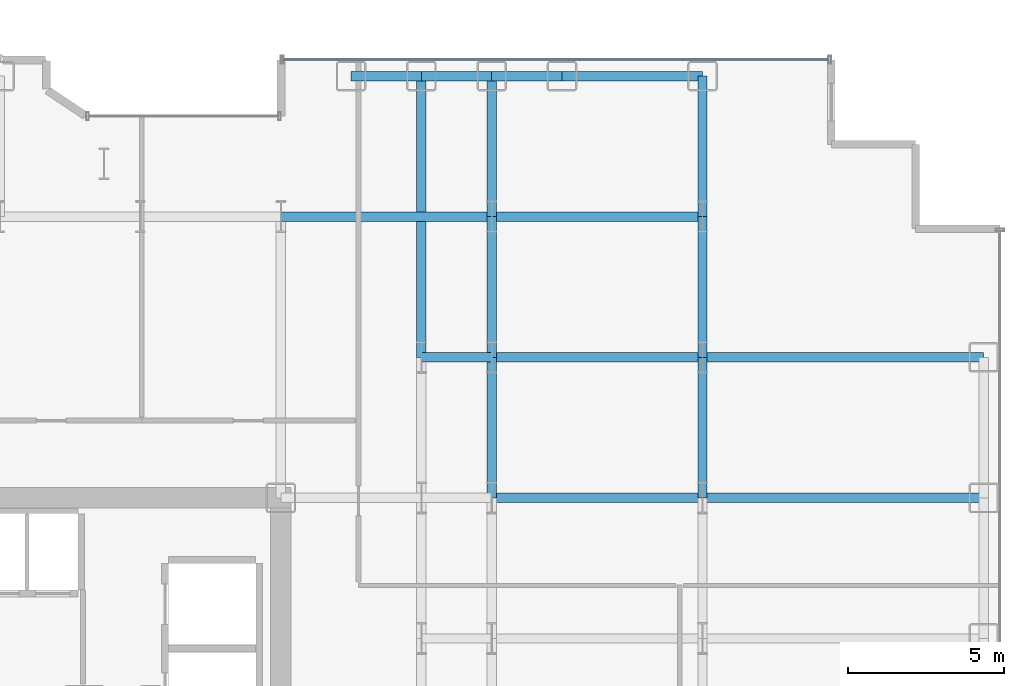
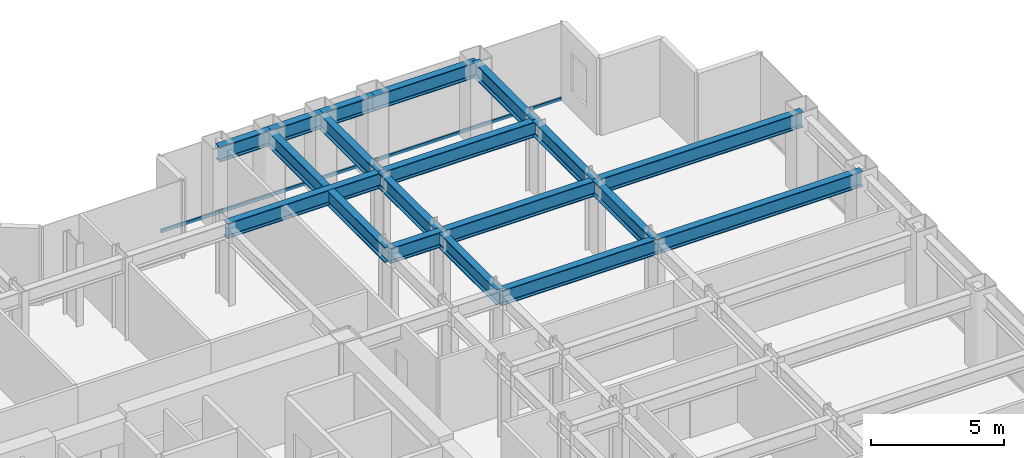
# One storey, part 13 of 27: 18 beams, 1 member, 1 element without a shape of its own.
"""IFC4 building model written with IfcOpenShell, lengths in metres."""

from ifc_helpers import new_model, si_unit, direction, frame, origin, origin_2d, place, context, subcontext, project, spatial, hollow_rectangle, i_section, extrude, source, transform, mapped, material, layer, layer_set, material_profile, profile_set, type_object, element, aggregate, save


model = new_model("IFC4")

# Units and contexts
model_context = context("Model", 3, precision=1e-05, world=origin(), true_north=direction((0.0, 1.0)))
body_context = subcontext(model_context, "Body", "Model", "MODEL_VIEW")
ifc_project = project(units=[si_unit("LENGTHUNIT", "METRE"), si_unit("AREAUNIT", "SQUARE_METRE"), si_unit("VOLUMEUNIT", "CUBIC_METRE"), si_unit("PLANEANGLEUNIT", "RADIAN"), si_unit("MASSUNIT", "GRAM", prefix="KILO")], contexts=[model_context])

# Site, building, storey
site_placement = place(None, origin())
site = spatial("IfcSite", under=ifc_project, at=site_placement, CompositionType="ELEMENT")
building_placement = place(site_placement, origin())
building = spatial("IfcBuilding", under=site, at=building_placement, Name="Nefas-Gora Pilgrimage Tower", CompositionType="ELEMENT")
storey_placement = place(building_placement, frame((0.0, 0.0, 48.199951171875)))
storey = spatial("IfcBuildingStorey", under=building, at=storey_placement, Name="L10", CompositionType="ELEMENT", Elevation=48.199951171875)

# Beams
ifc_material_1 = material(Name="Steel S355", Category="steel")
ifc_material_profile_1 = material_profile(ifc_material_1, i_section(OverallWidth=0.300048828125, OverallDepth=0.699951171875, WebThickness=0.01708984375, FlangeThickness=0.031982421875, FilletRadius=0.027099609375, at=origin_2d()), Name="HEB 700")
ifc_profile_set_1 = profile_set([ifc_material_profile_1], Name="Steel S355")
beam_type_1 = type_object("IfcBeamType", Name="BM-SPN-HEB600", PredefinedType="SPANDREL", material=ifc_profile_set_1)
shared_shape_1 = source(origin(), body_context, "Body", "SweptSolid", [
    extrude(i_section(OverallWidth=0.300048828125, OverallDepth=0.699951171875, WebThickness=0.01708984375, FlangeThickness=0.031982421875, FilletRadius=0.027099609375, at=origin_2d()), origin(), (0.0, 0.0, 1.0), 4.5),
])
beam_1_placement = place(storey_placement, frame((20.25, 22.5, 3.199951171875), z_axis=(1.0, 0.0, 0.0), x_axis=(0.0, 1.0, 0.0)))
element("IfcBeam", 1, at=beam_1_placement, inside=storey, type_object=beam_type_1, Name="L10 SP-01 beam", PredefinedType="SPANDREL", context=body_context, shape_type="MappedRepresentation", body=[
    mapped(shared_shape_1, transform((0.0, 0.0, 0.0), x_axis=(1.0, 0.0, 0.0), y_axis=(0.0, 1.0, 0.0), z_axis=(0.0, 0.0, 1.0), scale=1.0)),
])
ifc_material_profile_2 = material_profile(ifc_material_1, i_section(OverallWidth=0.300048828125, OverallDepth=0.699951171875, WebThickness=0.01708984375, FlangeThickness=0.031982421875, FilletRadius=0.027099609375, at=origin_2d()), Name="HEB 700")
ifc_profile_set_2 = profile_set([ifc_material_profile_2], Name="Steel S355")
beam_type_2 = type_object("IfcBeamType", Name="BM-GIR-HEB700", PredefinedType="BEAM", material=ifc_profile_set_2)
shared_shape_2 = source(origin(), body_context, "Body", "SweptSolid", [
    extrude(i_section(OverallWidth=0.300048828125, OverallDepth=0.699951171875, WebThickness=0.01708984375, FlangeThickness=0.031982421875, FilletRadius=0.027099609375, at=origin_2d()), origin(), (0.0, 0.0, 1.0), 9.0),
])
for number, where, z_axis, x_axis, name in (
    (2, (15.75, 13.5, 3.199951171875), (0.0, 1.0, 0.0), (-1.0, 0.0, 0.0), "L10 G-02 beam"),
    (3, (24.75, 9.0, 3.199951171875), (1.0, 0.0, 0.0), (0.0, 1.0, 0.0), "L10 G-02 beam"),
    (4, (24.75, 13.5, 3.199951171875), (1.0, 0.0, 0.0), (0.0, 1.0, 0.0), "L10 G-02 beam"),
):
    element("IfcBeam", number, at=place(storey_placement, frame(where, z_axis=z_axis, x_axis=x_axis)), inside=storey, type_object=beam_type_2, Name=name, PredefinedType="BEAM", context=body_context, shape_type="MappedRepresentation", body=[
        mapped(shared_shape_2, transform((0.0, 0.0, 0.0), x_axis=(1.0, 0.0, 0.0), y_axis=(0.0, 1.0, 0.0), z_axis=(0.0, 0.0, 1.0), scale=1.0)),
    ])
shared_shape_3 = source(origin(), body_context, "Body", "SweptSolid", [
    extrude(i_section(OverallWidth=0.300048828125, OverallDepth=0.699951171875, WebThickness=0.01708984375, FlangeThickness=0.031982421875, FilletRadius=0.027099609375, at=origin_2d()), origin(), (0.0, 0.0, 1.0), 4.5),
])
for number, where, z_axis, x_axis, name in (
    (5, (18.0, 9.0, 3.199951171875), (0.0, 1.0, 0.0), (-1.0, 0.0, 0.0), "L10 G-02 beam"),
    (6, (18.0, 13.5, 3.199951171875), (0.0, 1.0, 0.0), (-1.0, 0.0, 0.0), "L10 G-02 beam"),
    (7, (18.0, 18.0, 3.199951171875), (0.0, 1.0, 0.0), (-1.0, 0.0, 0.0), "L10 G-02 beam"),
    (8, (24.75, 9.0, 3.199951171875), (0.0, 1.0, 0.0), (-1.0, 0.0, 0.0), "L10 G-02 beam"),
    (9, (24.75, 13.5, 3.199951171875), (0.0, 1.0, 0.0), (-1.0, 0.0, 0.0), "L10 G-02 beam"),
    (10, (24.75, 18.0, 3.199951171875), (0.0, 1.0, 0.0), (-1.0, 0.0, 0.0), "L10 G-02 beam"),
):
    element("IfcBeam", number, at=place(storey_placement, frame(where, z_axis=z_axis, x_axis=x_axis)), inside=storey, type_object=beam_type_2, Name=name, PredefinedType="BEAM", context=body_context, shape_type="MappedRepresentation", body=[
        mapped(shared_shape_3, transform((0.0, 0.0, 0.0), x_axis=(1.0, 0.0, 0.0), y_axis=(0.0, 1.0, 0.0), z_axis=(0.0, 0.0, 1.0), scale=1.0)),
    ])
shared_shape_4 = source(origin(), body_context, "Body", "SweptSolid", [
    extrude(i_section(OverallWidth=0.300048828125, OverallDepth=0.699951171875, WebThickness=0.01708984375, FlangeThickness=0.031982421875, FilletRadius=0.027099609375, at=origin_2d()), origin(), (0.0, 0.0, 1.0), 6.75),
])
for number, where, z_axis, x_axis, name in (
    (11, (11.25, 18.0, 3.199951171875), (1.0, 0.0, 0.0), (0.0, 1.0, 0.0), "L10 G-02 beam"),
    (12, (18.0, 9.0, 3.199951171875), (1.0, 0.0, 0.0), (0.0, 1.0, 0.0), "L10 G-02 beam"),
    (13, (18.0, 13.5, 3.199951171875), (1.0, 0.0, 0.0), (0.0, 1.0, 0.0), "L10 G-02 beam"),
    (14, (18.0, 18.0, 3.199951171875), (1.0, 0.0, 0.0), (0.0, 1.0, 0.0), "L10 G-02 beam"),
):
    element("IfcBeam", number, at=place(storey_placement, frame(where, z_axis=z_axis, x_axis=x_axis)), inside=storey, type_object=beam_type_2, Name=name, PredefinedType="BEAM", context=body_context, shape_type="MappedRepresentation", body=[
        mapped(shared_shape_4, transform((0.0, 0.0, 0.0), x_axis=(1.0, 0.0, 0.0), y_axis=(0.0, 1.0, 0.0), z_axis=(0.0, 0.0, 1.0), scale=1.0)),
    ])
shared_shape_5 = source(origin(), body_context, "Body", "SweptSolid", [
    extrude(i_section(OverallWidth=0.300048828125, OverallDepth=0.699951171875, WebThickness=0.01708984375, FlangeThickness=0.031982421875, FilletRadius=0.027099609375, at=origin_2d()), origin(), (0.0, 0.0, 1.0), 2.25),
])
for number, where, z_axis, x_axis, name in (
    (15, (13.5, 22.5, 3.199951171875), (1.0, 0.0, 0.0), (0.0, 1.0, 0.0), "L10 SP-01 beam"),
    (16, (15.75, 22.5, 3.199951171875), (1.0, 0.0, 0.0), (0.0, 1.0, 0.0), "L10 SP-01 beam"),
    (17, (18.0, 22.5, 3.199951171875), (1.0, 0.0, 0.0), (0.0, 1.0, 0.0), "L10 SP-01 beam"),
):
    element("IfcBeam", number, at=place(storey_placement, frame(where, z_axis=z_axis, x_axis=x_axis)), inside=storey, type_object=beam_type_1, Name=name, PredefinedType="SPANDREL", context=body_context, shape_type="MappedRepresentation", body=[
        mapped(shared_shape_5, transform((0.0, 0.0, 0.0), x_axis=(1.0, 0.0, 0.0), y_axis=(0.0, 1.0, 0.0), z_axis=(0.0, 0.0, 1.0), scale=1.0)),
    ])
shared_shape_6 = source(origin(), body_context, "Body", "SweptSolid", [
    extrude(i_section(OverallWidth=0.300048828125, OverallDepth=0.699951171875, WebThickness=0.01708984375, FlangeThickness=0.031982421875, FilletRadius=0.027099609375, at=origin_2d()), origin(), (0.0, 0.0, 1.0), 2.25),
])
beam_2_placement = place(storey_placement, frame((15.75, 13.5, 3.199951171875), z_axis=(1.0, 0.0, 0.0), x_axis=(0.0, 1.0, 0.0)))
element("IfcBeam", 18, at=beam_2_placement, inside=storey, type_object=beam_type_2, Name="L10 G-02 beam", PredefinedType="BEAM", context=body_context, shape_type="MappedRepresentation", body=[
    mapped(shared_shape_6, transform((0.0, 0.0, 0.0), x_axis=(1.0, 0.0, 0.0), y_axis=(0.0, 1.0, 0.0), z_axis=(0.0, 0.0, 1.0), scale=1.0)),
])

# Curtain wall, member
ifc_material_2 = material(Name="Dark ceramic-fritted solar-control aluminium-glass curtain wall", Category="aluminium")
ifc_layer = layer(ifc_material_2, 0.219970703125)
ifc_layer_set = layer_set([ifc_layer], Name="Dark ceramic-fritted solar-control aluminium-glass curtain wall")
curtain_wall_type = type_object("IfcCurtainWallType", Name="CW-SYS-2", PredefinedType="NOTDEFINED", material=ifc_layer_set)
curtain_wall_placement = place(storey_placement, origin())
curtain_wall = element("IfcCurtainWall", 19, at=curtain_wall_placement, inside=storey, type_object=curtain_wall_type, Name="L10 Unitised Curtain Wall CW2", PredefinedType="NOTDEFINED")
ifc_material_3 = material(Name="Anodised architectural aluminium", Category="aluminium")
ifc_material_profile_3 = material_profile(ifc_material_3, hollow_rectangle(XDim=0.080078125, YDim=0.159912109375, WallThickness=0.00439453125, InnerFilletRadius=0.00439453125, OuterFilletRadius=0.009033203125, at=origin_2d()), Name="ALU TRANSOM 80x160")
ifc_profile_set_3 = profile_set([ifc_material_profile_3], Name="Anodised architectural aluminium")
member_type = type_object("IfcMemberType", Name="CWM-TRN-2", PredefinedType="USERDEFINED", material=ifc_profile_set_3)
shared_shape_7 = source(origin(), body_context, "Body", "SweptSolid", [
    extrude(hollow_rectangle(XDim=0.080078125, YDim=0.159912109375, WallThickness=0.00439453125, InnerFilletRadius=0.00439453125, OuterFilletRadius=0.009033203125, at=origin_2d()), origin(), (0.0, 0.0, 1.0), 17.43994140625),
])
member_placement = place(storey_placement, frame((28.780029296875, 23.02001953125, 0.050048828125), z_axis=(-1.0, 0.0, 0.0), x_axis=(0.0, -1.0, 0.0)))
member = element("IfcMember", 20, at=member_placement, type_object=member_type, Name="CW2 Spandrel Transom", ObjectType="TRANSOM", PredefinedType="USERDEFINED", context=body_context, shape_type="MappedRepresentation", body=[
    mapped(shared_shape_7, transform((0.0, 0.0, 0.0), x_axis=(1.0, 0.0, 0.0), y_axis=(0.0, 1.0, 0.0), z_axis=(0.0, 0.0, 1.0), scale=1.0)),
])
aggregate(curtain_wall, [member])

save(model, "model.ifc")
